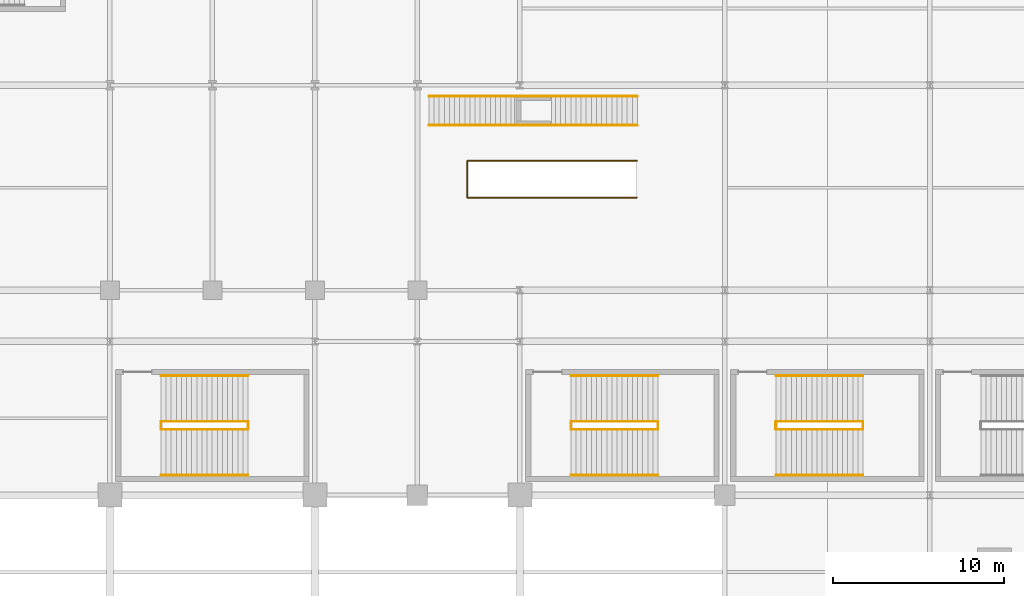
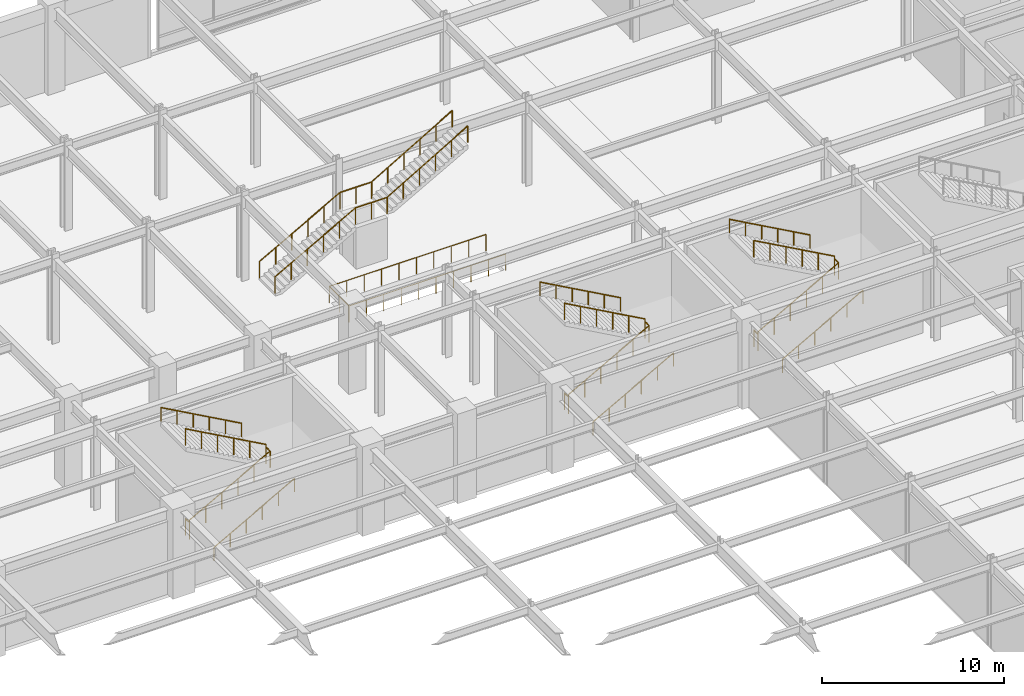
# One storey, part 102 of 105: 21 railings.
"""IFC4 building model written with IfcOpenShell, lengths in metres."""

from ifc_helpers import new_model, si_unit, direction, frame, origin, origin_2d, place, context, subcontext, project, spatial, circle, extrude, material, type_object, element, save


model = new_model("IFC4")

# Units and contexts
model_context = context("Model", 3, precision=1e-05, world=origin(), true_north=direction((0.0, 1.0)))
body_context = subcontext(model_context, "Body", "Model", "MODEL_VIEW")
ifc_project = project(units=[si_unit("LENGTHUNIT", "METRE"), si_unit("AREAUNIT", "SQUARE_METRE"), si_unit("VOLUMEUNIT", "CUBIC_METRE"), si_unit("PLANEANGLEUNIT", "RADIAN"), si_unit("MASSUNIT", "GRAM", prefix="KILO")], contexts=[model_context])

# Site, building, storey
site_placement = place(None, origin())
site = spatial("IfcSite", under=ifc_project, at=site_placement, CompositionType="ELEMENT")
building_placement = place(site_placement, origin())
building = spatial("IfcBuilding", under=site, at=building_placement, Name="Kaldorvane Square Convention Centre", CompositionType="ELEMENT")
storey_placement = place(building_placement, frame((0.0, 0.0, 6.0)))
storey = spatial("IfcBuildingStorey", under=building, at=storey_placement, Name="L01", CompositionType="ELEMENT", Elevation=6.0)

# Railings
ifc_material = material(Name="Architectural Painted Steel", Category="steel")
railing_type_1 = type_object("IfcRailingType", Name="RL-GUARD-1120", PredefinedType="BALUSTRADE", material=ifc_material)
for number, where, name in (
    (1, (80.99000549316406, 75.86000061035156, 0.0), "Convention Exit Stair C15 Floor Well Guard (L01)"),
    (2, (86.08999633789062, 75.86000061035156, 3.0), "Convention Exit Stair C15 Half-Landing Guard (L01)"),
):
    element("IfcRailing", number, at=place(storey_placement, frame(where)), inside=storey, type_object=railing_type_1, Name=name, PredefinedType="BALUSTRADE", context=body_context, shape_type="SweptSolid", body=[
        extrude(circle(Radius=0.0240020751953125, at=origin_2d()), frame((0.0, 0.0, 1.0959930419921875), z_axis=(0.0, 1.0, 0.0), x_axis=(-1.0, 0.0, 0.0)), (0.0, 0.0, 1.0), 0.44000244140625),
        extrude(circle(Radius=0.02099609375, at=origin_2d()), origin(), (0.0, 0.0, 1.0), 1.071990966796875),
        extrude(circle(Radius=0.02099609375, at=origin_2d()), frame((0.0, 0.44000244140625, 0.0)), (0.0, 0.0, 1.0), 1.071990966796875),
    ])
railing_1_placement = place(storey_placement, frame((80.99000549316406, 75.85000610351562, 0.1666717529296875)))
element("IfcRailing", 3, at=railing_1_placement, inside=storey, type_object=railing_type_1, Name="Convention Exit Stair C15 Flight 1 Guard (L01)", PredefinedType="BALUSTRADE", context=body_context, shape_type="SweptSolid", body=[
    extrude(circle(Radius=0.0240020751953125, at=origin_2d()), frame((0.0, 0.0, 1.0959930419921875), z_axis=(0.874157276122, 0.0, 0.485642931179), x_axis=(0.0, 1.0, 0.0)), (0.0, 0.0, 1.0), 5.8341827392578125),
    extrude(circle(Radius=0.02099609375, at=origin_2d()), origin(), (0.0, 0.0, 1.0), 1.071990966796875),
    extrude(circle(Radius=0.02099609375, at=origin_2d()), frame((1.0200042724609375, 0.0, 0.5666656494140625)), (0.0, 0.0, 1.0), 1.071990966796875),
    extrude(circle(Radius=0.02099609375, at=origin_2d()), frame((2.0399932861328125, 0.0, 1.133331298828125)), (0.0, 0.0, 1.0), 1.071990966796875),
    extrude(circle(Radius=0.02099609375, at=origin_2d()), frame((3.05999755859375, 0.0, 1.6999969482421875)), (0.0, 0.0, 1.0), 1.071990966796875),
    extrude(circle(Radius=0.02099609375, at=origin_2d()), frame((4.079986572265625, 0.0, 2.26666259765625)), (0.0, 0.0, 1.0), 1.071990966796875),
    extrude(circle(Radius=0.02099609375, at=origin_2d()), frame((5.0999908447265625, 0.0, 2.8333282470703125)), (0.0, 0.0, 1.0), 1.071990966796875),
])
railing_2_placement = place(storey_placement, frame((86.08999633789062, 76.30999755859375, 3.1666717529296875)))
element("IfcRailing", 4, at=railing_2_placement, inside=storey, type_object=railing_type_1, Name="Convention Exit Stair C15 Flight 2 Guard (L01)", PredefinedType="BALUSTRADE", context=body_context, shape_type="SweptSolid", body=[
    extrude(circle(Radius=0.0240020751953125, at=origin_2d()), frame((0.0, 0.0, 1.0959930419921875), z_axis=(-0.874157276122, 0.0, 0.485642931179), x_axis=(0.0, -1.0, 0.0)), (0.0, 0.0, 1.0), 5.8341827392578125),
    extrude(circle(Radius=0.02099609375, at=origin_2d()), origin(), (0.0, 0.0, 1.0), 1.071990966796875),
    extrude(circle(Radius=0.02099609375, at=origin_2d()), frame((-1.0200042724609375, 0.0, 0.5666656494140625)), (0.0, 0.0, 1.0), 1.071990966796875),
    extrude(circle(Radius=0.02099609375, at=origin_2d()), frame((-2.0399932861328125, 0.0, 1.133331298828125)), (0.0, 0.0, 1.0), 1.071990966796875),
    extrude(circle(Radius=0.02099609375, at=origin_2d()), frame((-3.05999755859375, 0.0, 1.6999969482421875)), (0.0, 0.0, 1.0), 1.071990966796875),
    extrude(circle(Radius=0.02099609375, at=origin_2d()), frame((-4.079986572265625, 0.0, 2.26666259765625)), (0.0, 0.0, 1.0), 1.071990966796875),
    extrude(circle(Radius=0.02099609375, at=origin_2d()), frame((-5.0999908447265625, 0.0, 2.8333282470703125)), (0.0, 0.0, 1.0), 1.071990966796875),
])
for number, where, name in (
    (5, (104.99000549316406, 75.86000061035156, 0.0), "Convention Exit Stair C16 Floor Well Guard (L01)"),
    (6, (110.08999633789062, 75.86000061035156, 3.0), "Convention Exit Stair C16 Half-Landing Guard (L01)"),
):
    element("IfcRailing", number, at=place(storey_placement, frame(where)), inside=storey, type_object=railing_type_1, Name=name, PredefinedType="BALUSTRADE", context=body_context, shape_type="SweptSolid", body=[
        extrude(circle(Radius=0.0240020751953125, at=origin_2d()), frame((0.0, 0.0, 1.0959930419921875), z_axis=(0.0, 1.0, 0.0), x_axis=(-1.0, 0.0, 0.0)), (0.0, 0.0, 1.0), 0.44000244140625),
        extrude(circle(Radius=0.02099609375, at=origin_2d()), origin(), (0.0, 0.0, 1.0), 1.071990966796875),
        extrude(circle(Radius=0.02099609375, at=origin_2d()), frame((0.0, 0.44000244140625, 0.0)), (0.0, 0.0, 1.0), 1.071990966796875),
    ])
railing_3_placement = place(storey_placement, frame((104.99000549316406, 75.85000610351562, 0.1666717529296875)))
element("IfcRailing", 7, at=railing_3_placement, inside=storey, type_object=railing_type_1, Name="Convention Exit Stair C16 Flight 1 Guard (L01)", PredefinedType="BALUSTRADE", context=body_context, shape_type="SweptSolid", body=[
    extrude(circle(Radius=0.0240020751953125, at=origin_2d()), frame((0.0, 0.0, 1.0959930419921875), z_axis=(0.874157276122, 0.0, 0.485642931179), x_axis=(0.0, 1.0, 0.0)), (0.0, 0.0, 1.0), 5.8341827392578125),
    extrude(circle(Radius=0.02099609375, at=origin_2d()), origin(), (0.0, 0.0, 1.0), 1.071990966796875),
    extrude(circle(Radius=0.02099609375, at=origin_2d()), frame((1.0200042724609375, 0.0, 0.5666656494140625)), (0.0, 0.0, 1.0), 1.071990966796875),
    extrude(circle(Radius=0.02099609375, at=origin_2d()), frame((2.0399932861328125, 0.0, 1.133331298828125)), (0.0, 0.0, 1.0), 1.071990966796875),
    extrude(circle(Radius=0.02099609375, at=origin_2d()), frame((3.05999755859375, 0.0, 1.6999969482421875)), (0.0, 0.0, 1.0), 1.071990966796875),
    extrude(circle(Radius=0.02099609375, at=origin_2d()), frame((4.079986572265625, 0.0, 2.26666259765625)), (0.0, 0.0, 1.0), 1.071990966796875),
    extrude(circle(Radius=0.02099609375, at=origin_2d()), frame((5.0999908447265625, 0.0, 2.8333282470703125)), (0.0, 0.0, 1.0), 1.071990966796875),
])
railing_4_placement = place(storey_placement, frame((110.08999633789062, 76.30999755859375, 3.1666717529296875)))
element("IfcRailing", 8, at=railing_4_placement, inside=storey, type_object=railing_type_1, Name="Convention Exit Stair C16 Flight 2 Guard (L01)", PredefinedType="BALUSTRADE", context=body_context, shape_type="SweptSolid", body=[
    extrude(circle(Radius=0.0240020751953125, at=origin_2d()), frame((0.0, 0.0, 1.0959930419921875), z_axis=(-0.874157276122, 0.0, 0.485642931179), x_axis=(0.0, -1.0, 0.0)), (0.0, 0.0, 1.0), 5.8341827392578125),
    extrude(circle(Radius=0.02099609375, at=origin_2d()), origin(), (0.0, 0.0, 1.0), 1.071990966796875),
    extrude(circle(Radius=0.02099609375, at=origin_2d()), frame((-1.0200042724609375, 0.0, 0.5666656494140625)), (0.0, 0.0, 1.0), 1.071990966796875),
    extrude(circle(Radius=0.02099609375, at=origin_2d()), frame((-2.0399932861328125, 0.0, 1.133331298828125)), (0.0, 0.0, 1.0), 1.071990966796875),
    extrude(circle(Radius=0.02099609375, at=origin_2d()), frame((-3.05999755859375, 0.0, 1.6999969482421875)), (0.0, 0.0, 1.0), 1.071990966796875),
    extrude(circle(Radius=0.02099609375, at=origin_2d()), frame((-4.079986572265625, 0.0, 2.26666259765625)), (0.0, 0.0, 1.0), 1.071990966796875),
    extrude(circle(Radius=0.02099609375, at=origin_2d()), frame((-5.0999908447265625, 0.0, 2.8333282470703125)), (0.0, 0.0, 1.0), 1.071990966796875),
])
for number, where, name in (
    (9, (116.99000549316406, 75.86000061035156, 0.0), "Convention Exit Stair C17 Floor Well Guard (L01)"),
    (10, (122.08999633789062, 75.86000061035156, 3.0), "Convention Exit Stair C17 Half-Landing Guard (L01)"),
):
    element("IfcRailing", number, at=place(storey_placement, frame(where)), inside=storey, type_object=railing_type_1, Name=name, PredefinedType="BALUSTRADE", context=body_context, shape_type="SweptSolid", body=[
        extrude(circle(Radius=0.0240020751953125, at=origin_2d()), frame((0.0, 0.0, 1.0959930419921875), z_axis=(0.0, 1.0, 0.0), x_axis=(-1.0, 0.0, 0.0)), (0.0, 0.0, 1.0), 0.44000244140625),
        extrude(circle(Radius=0.02099609375, at=origin_2d()), origin(), (0.0, 0.0, 1.0), 1.071990966796875),
        extrude(circle(Radius=0.02099609375, at=origin_2d()), frame((0.0, 0.44000244140625, 0.0)), (0.0, 0.0, 1.0), 1.071990966796875),
    ])
railing_5_placement = place(storey_placement, frame((116.99000549316406, 75.85000610351562, 0.1666717529296875)))
element("IfcRailing", 11, at=railing_5_placement, inside=storey, type_object=railing_type_1, Name="Convention Exit Stair C17 Flight 1 Guard (L01)", PredefinedType="BALUSTRADE", context=body_context, shape_type="SweptSolid", body=[
    extrude(circle(Radius=0.0240020751953125, at=origin_2d()), frame((0.0, 0.0, 1.0959930419921875), z_axis=(0.874157276122, 0.0, 0.485642931179), x_axis=(0.0, 1.0, 0.0)), (0.0, 0.0, 1.0), 5.8341827392578125),
    extrude(circle(Radius=0.02099609375, at=origin_2d()), origin(), (0.0, 0.0, 1.0), 1.071990966796875),
    extrude(circle(Radius=0.02099609375, at=origin_2d()), frame((1.0200042724609375, 0.0, 0.5666656494140625)), (0.0, 0.0, 1.0), 1.071990966796875),
    extrude(circle(Radius=0.02099609375, at=origin_2d()), frame((2.0399932861328125, 0.0, 1.133331298828125)), (0.0, 0.0, 1.0), 1.071990966796875),
    extrude(circle(Radius=0.02099609375, at=origin_2d()), frame((3.05999755859375, 0.0, 1.6999969482421875)), (0.0, 0.0, 1.0), 1.071990966796875),
    extrude(circle(Radius=0.02099609375, at=origin_2d()), frame((4.079986572265625, 0.0, 2.26666259765625)), (0.0, 0.0, 1.0), 1.071990966796875),
    extrude(circle(Radius=0.02099609375, at=origin_2d()), frame((5.0999908447265625, 0.0, 2.8333282470703125)), (0.0, 0.0, 1.0), 1.071990966796875),
])
railing_6_placement = place(storey_placement, frame((122.08999633789062, 76.30999755859375, 3.1666717529296875)))
element("IfcRailing", 12, at=railing_6_placement, inside=storey, type_object=railing_type_1, Name="Convention Exit Stair C17 Flight 2 Guard (L01)", PredefinedType="BALUSTRADE", context=body_context, shape_type="SweptSolid", body=[
    extrude(circle(Radius=0.0240020751953125, at=origin_2d()), frame((0.0, 0.0, 1.0959930419921875), z_axis=(-0.874157276122, 0.0, 0.485642931179), x_axis=(0.0, -1.0, 0.0)), (0.0, 0.0, 1.0), 5.8341827392578125),
    extrude(circle(Radius=0.02099609375, at=origin_2d()), origin(), (0.0, 0.0, 1.0), 1.071990966796875),
    extrude(circle(Radius=0.02099609375, at=origin_2d()), frame((-1.0200042724609375, 0.0, 0.5666656494140625)), (0.0, 0.0, 1.0), 1.071990966796875),
    extrude(circle(Radius=0.02099609375, at=origin_2d()), frame((-2.0399932861328125, 0.0, 1.133331298828125)), (0.0, 0.0, 1.0), 1.071990966796875),
    extrude(circle(Radius=0.02099609375, at=origin_2d()), frame((-3.05999755859375, 0.0, 1.6999969482421875)), (0.0, 0.0, 1.0), 1.071990966796875),
    extrude(circle(Radius=0.02099609375, at=origin_2d()), frame((-4.079986572265625, 0.0, 2.26666259765625)), (0.0, 0.0, 1.0), 1.071990966796875),
    extrude(circle(Radius=0.02099609375, at=origin_2d()), frame((-5.0999908447265625, 0.0, 2.8333282470703125)), (0.0, 0.0, 1.0), 1.071990966796875),
])
railing_7_placement = place(storey_placement, frame((108.85000610351562, 89.41999816894531, 0.0)))
element("IfcRailing", 13, at=railing_7_placement, inside=storey, type_object=railing_type_1, Name="Hotel Atrium Grand Stair F5 Upper Well Guard (L01)", PredefinedType="BALUSTRADE", context=body_context, shape_type="SweptSolid", body=[
    extrude(circle(Radius=0.0240020751953125, at=origin_2d()), frame((0.0, 0.0, 1.0959930419921875), z_axis=(-1.0, 0.0, 0.0), x_axis=(0.0, -1.0, 0.0)), (0.0, 0.0, 1.0), 9.930007934570312),
    extrude(circle(Radius=0.0240020751953125, at=origin_2d()), frame((-9.930007934570312, 0.0, 1.0959930419921875), z_axis=(0.0, 1.0, 0.0), x_axis=(-1.0, 0.0, 0.0)), (0.0, 0.0, 1.0), 2.160003662109375),
    extrude(circle(Radius=0.0240020751953125, at=origin_2d()), frame((-9.930007934570312, 2.160003662109375, 1.0959930419921875), z_axis=(1.0, 0.0, 0.0), x_axis=(0.0, 1.0, 0.0)), (0.0, 0.0, 1.0), 9.930007934570312),
    extrude(circle(Radius=0.02099609375, at=origin_2d()), origin(), (0.0, 0.0, 1.0), 1.071990966796875),
    extrude(circle(Radius=0.02099609375, at=origin_2d()), frame((-1.10333251953125, 0.0, 0.0)), (0.0, 0.0, 1.0), 1.071990966796875),
    extrude(circle(Radius=0.02099609375, at=origin_2d()), frame((-2.2066650390625, 0.0, 0.0)), (0.0, 0.0, 1.0), 1.071990966796875),
    extrude(circle(Radius=0.02099609375, at=origin_2d()), frame((-3.30999755859375, 0.0, 0.0)), (0.0, 0.0, 1.0), 1.071990966796875),
    extrude(circle(Radius=0.02099609375, at=origin_2d()), frame((-4.413330078125, 0.0, 0.0)), (0.0, 0.0, 1.0), 1.071990966796875),
    extrude(circle(Radius=0.02099609375, at=origin_2d()), frame((-5.5166778564453125, 0.0, 0.0)), (0.0, 0.0, 1.0), 1.071990966796875),
    extrude(circle(Radius=0.02099609375, at=origin_2d()), frame((-6.6200103759765625, 0.0, 0.0)), (0.0, 0.0, 1.0), 1.071990966796875),
    extrude(circle(Radius=0.02099609375, at=origin_2d()), frame((-7.7233428955078125, 0.0, 0.0)), (0.0, 0.0, 1.0), 1.071990966796875),
    extrude(circle(Radius=0.02099609375, at=origin_2d()), frame((-8.826675415039062, 0.0, 0.0)), (0.0, 0.0, 1.0), 1.071990966796875),
    extrude(circle(Radius=0.02099609375, at=origin_2d()), frame((-9.930007934570312, 0.0, 0.0)), (0.0, 0.0, 1.0), 1.071990966796875),
    extrude(circle(Radius=0.02099609375, at=origin_2d()), frame((-9.930007934570312, 1.0800018310546875, 0.0)), (0.0, 0.0, 1.0), 1.071990966796875),
    extrude(circle(Radius=0.02099609375, at=origin_2d()), frame((-9.930007934570312, 2.160003662109375, 0.0)), (0.0, 0.0, 1.0), 1.071990966796875),
    extrude(circle(Radius=0.02099609375, at=origin_2d()), frame((-8.826675415039062, 2.160003662109375, 0.0)), (0.0, 0.0, 1.0), 1.071990966796875),
    extrude(circle(Radius=0.02099609375, at=origin_2d()), frame((-7.7233428955078125, 2.160003662109375, 0.0)), (0.0, 0.0, 1.0), 1.071990966796875),
    extrude(circle(Radius=0.02099609375, at=origin_2d()), frame((-6.6200103759765625, 2.160003662109375, 0.0)), (0.0, 0.0, 1.0), 1.071990966796875),
    extrude(circle(Radius=0.02099609375, at=origin_2d()), frame((-5.5166778564453125, 2.160003662109375, 0.0)), (0.0, 0.0, 1.0), 1.071990966796875),
    extrude(circle(Radius=0.02099609375, at=origin_2d()), frame((-4.413330078125, 2.160003662109375, 0.0)), (0.0, 0.0, 1.0), 1.071990966796875),
    extrude(circle(Radius=0.02099609375, at=origin_2d()), frame((-3.30999755859375, 2.160003662109375, 0.0)), (0.0, 0.0, 1.0), 1.071990966796875),
    extrude(circle(Radius=0.02099609375, at=origin_2d()), frame((-2.2066650390625, 2.160003662109375, 0.0)), (0.0, 0.0, 1.0), 1.071990966796875),
    extrude(circle(Radius=0.02099609375, at=origin_2d()), frame((-1.10333251953125, 2.160003662109375, 0.0)), (0.0, 0.0, 1.0), 1.071990966796875),
    extrude(circle(Radius=0.02099609375, at=origin_2d()), frame((0.0, 2.160003662109375, 0.0)), (0.0, 0.0, 1.0), 1.071990966796875),
])
railing_8_placement = place(storey_placement, frame((96.67999267578125, 93.64999389648438, 0.1666717529296875)))
element("IfcRailing", 14, at=railing_8_placement, inside=storey, type_object=railing_type_1, Name="Hotel Atrium Grand Stair F6 Balustrade S (L01)", PredefinedType="BALUSTRADE", context=body_context, shape_type="SweptSolid", body=[
    extrude(circle(Radius=0.0240020751953125, at=origin_2d()), frame((0.0, 0.0, 1.0959930419921875), z_axis=(0.874157892962, 0.0, 0.485641820864), x_axis=(0.0, 1.0, 0.0)), (0.0, 0.0, 1.0), 5.834197998046875),
    extrude(circle(Radius=0.0240020751953125, at=origin_2d()), frame((5.100006103515625, 0.0, 3.9293212890625), z_axis=(1.0, 0.0, 0.0), x_axis=(0.0, 1.0, 0.0)), (0.0, 0.0, 1.0), 2.0),
    extrude(circle(Radius=0.0240020751953125, at=origin_2d()), frame((7.100006103515625, 0.0, 3.9293212890625), z_axis=(0.861934480334, 0.0, 0.507019675764), x_axis=(0.0, 1.0, 0.0)), (0.0, 0.0, 1.0), 5.91693115234375),
    extrude(circle(Radius=0.02099609375, at=origin_2d()), origin(), (0.0, 0.0, 1.0), 1.071990966796875),
    extrude(circle(Radius=0.02099609375, at=origin_2d()), frame((1.0200042724609375, 0.0, 0.5666656494140625)), (0.0, 0.0, 1.0), 1.071990966796875),
    extrude(circle(Radius=0.02099609375, at=origin_2d()), frame((2.040008544921875, 0.0, 1.133331298828125)), (0.0, 0.0, 1.0), 1.071990966796875),
    extrude(circle(Radius=0.02099609375, at=origin_2d()), frame((3.05999755859375, 0.0, 1.6999969482421875)), (0.0, 0.0, 1.0), 1.071990966796875),
    extrude(circle(Radius=0.02099609375, at=origin_2d()), frame((4.0800018310546875, 0.0, 2.26666259765625)), (0.0, 0.0, 1.0), 1.071990966796875),
    extrude(circle(Radius=0.02099609375, at=origin_2d()), frame((5.100006103515625, 0.0, 2.8333282470703125)), (0.0, 0.0, 1.0), 1.071990966796875),
    extrude(circle(Radius=0.02099609375, at=origin_2d()), frame((6.100006103515625, 0.0, 2.8333282470703125)), (0.0, 0.0, 1.0), 1.071990966796875),
    extrude(circle(Radius=0.02099609375, at=origin_2d()), frame((7.100006103515625, 0.0, 2.8333282470703125)), (0.0, 0.0, 1.0), 1.071990966796875),
    extrude(circle(Radius=0.02099609375, at=origin_2d()), frame((8.120010375976562, 0.0, 3.4333343505859375)), (0.0, 0.0, 1.0), 1.071990966796875),
    extrude(circle(Radius=0.02099609375, at=origin_2d()), frame((9.1400146484375, 0.0, 4.0333251953125)), (0.0, 0.0, 1.0), 1.071990966796875),
    extrude(circle(Radius=0.02099609375, at=origin_2d()), frame((10.160003662109375, 0.0, 4.633331298828125)), (0.0, 0.0, 1.0), 1.071990966796875),
    extrude(circle(Radius=0.02099609375, at=origin_2d()), frame((11.180007934570312, 0.0, 5.2333221435546875)), (0.0, 0.0, 1.0), 1.071990966796875),
    extrude(circle(Radius=0.02099609375, at=origin_2d()), frame((12.20001220703125, 0.0, 5.8333282470703125)), (0.0, 0.0, 1.0), 1.071990966796875),
])
railing_9_placement = place(storey_placement, frame((96.67999267578125, 95.35000610351562, 0.1666717529296875)))
element("IfcRailing", 15, at=railing_9_placement, inside=storey, type_object=railing_type_1, Name="Hotel Atrium Grand Stair F6 Balustrade N (L01)", PredefinedType="BALUSTRADE", context=body_context, shape_type="SweptSolid", body=[
    extrude(circle(Radius=0.0240020751953125, at=origin_2d()), frame((0.0, 0.0, 1.0959930419921875), z_axis=(0.874157892962, 0.0, 0.485641820864), x_axis=(0.0, 1.0, 0.0)), (0.0, 0.0, 1.0), 5.834197998046875),
    extrude(circle(Radius=0.0240020751953125, at=origin_2d()), frame((5.100006103515625, 0.0, 3.9293212890625), z_axis=(1.0, 0.0, 0.0), x_axis=(0.0, 1.0, 0.0)), (0.0, 0.0, 1.0), 2.0),
    extrude(circle(Radius=0.0240020751953125, at=origin_2d()), frame((7.100006103515625, 0.0, 3.9293212890625), z_axis=(0.861934480334, 0.0, 0.507019675764), x_axis=(0.0, 1.0, 0.0)), (0.0, 0.0, 1.0), 5.91693115234375),
    extrude(circle(Radius=0.02099609375, at=origin_2d()), origin(), (0.0, 0.0, 1.0), 1.071990966796875),
    extrude(circle(Radius=0.02099609375, at=origin_2d()), frame((1.0200042724609375, 0.0, 0.5666656494140625)), (0.0, 0.0, 1.0), 1.071990966796875),
    extrude(circle(Radius=0.02099609375, at=origin_2d()), frame((2.040008544921875, 0.0, 1.133331298828125)), (0.0, 0.0, 1.0), 1.071990966796875),
    extrude(circle(Radius=0.02099609375, at=origin_2d()), frame((3.05999755859375, 0.0, 1.6999969482421875)), (0.0, 0.0, 1.0), 1.071990966796875),
    extrude(circle(Radius=0.02099609375, at=origin_2d()), frame((4.0800018310546875, 0.0, 2.26666259765625)), (0.0, 0.0, 1.0), 1.071990966796875),
    extrude(circle(Radius=0.02099609375, at=origin_2d()), frame((5.100006103515625, 0.0, 2.8333282470703125)), (0.0, 0.0, 1.0), 1.071990966796875),
    extrude(circle(Radius=0.02099609375, at=origin_2d()), frame((6.100006103515625, 0.0, 2.8333282470703125)), (0.0, 0.0, 1.0), 1.071990966796875),
    extrude(circle(Radius=0.02099609375, at=origin_2d()), frame((7.100006103515625, 0.0, 2.8333282470703125)), (0.0, 0.0, 1.0), 1.071990966796875),
    extrude(circle(Radius=0.02099609375, at=origin_2d()), frame((8.120010375976562, 0.0, 3.4333343505859375)), (0.0, 0.0, 1.0), 1.071990966796875),
    extrude(circle(Radius=0.02099609375, at=origin_2d()), frame((9.1400146484375, 0.0, 4.0333251953125)), (0.0, 0.0, 1.0), 1.071990966796875),
    extrude(circle(Radius=0.02099609375, at=origin_2d()), frame((10.160003662109375, 0.0, 4.633331298828125)), (0.0, 0.0, 1.0), 1.071990966796875),
    extrude(circle(Radius=0.02099609375, at=origin_2d()), frame((11.180007934570312, 0.0, 5.2333221435546875)), (0.0, 0.0, 1.0), 1.071990966796875),
    extrude(circle(Radius=0.02099609375, at=origin_2d()), frame((12.20001220703125, 0.0, 5.8333282470703125)), (0.0, 0.0, 1.0), 1.071990966796875),
])
railing_type_2 = type_object("IfcRailingType", Name="RL-HAND-915", PredefinedType="HANDRAIL", material=ifc_material)
railing_10_placement = place(storey_placement, frame((80.99000549316406, 73.16999816894531, 0.1666717529296875)))
element("IfcRailing", 16, at=railing_10_placement, inside=storey, type_object=railing_type_2, Name="Convention Exit Stair C15 Wall Handrail 1 (L01)", PredefinedType="HANDRAIL", context=body_context, shape_type="SweptSolid", body=[
    extrude(circle(Radius=0.0240020751953125, at=origin_2d()), frame((0.0, 0.0, 0.8909912109375), z_axis=(0.874157276122, 0.0, 0.485642931179), x_axis=(0.0, 1.0, 0.0)), (0.0, 0.0, 1.0), 5.8341827392578125),
    extrude(circle(Radius=0.02099609375, at=origin_2d()), origin(), (0.0, 0.0, 1.0), 0.8669891357421875),
    extrude(circle(Radius=0.02099609375, at=origin_2d()), frame((1.0200042724609375, 0.0, 0.5666656494140625)), (0.0, 0.0, 1.0), 0.8669891357421875),
    extrude(circle(Radius=0.02099609375, at=origin_2d()), frame((2.0399932861328125, 0.0, 1.133331298828125)), (0.0, 0.0, 1.0), 0.8669891357421875),
    extrude(circle(Radius=0.02099609375, at=origin_2d()), frame((3.05999755859375, 0.0, 1.6999969482421875)), (0.0, 0.0, 1.0), 0.8669891357421875),
    extrude(circle(Radius=0.02099609375, at=origin_2d()), frame((4.079986572265625, 0.0, 2.26666259765625)), (0.0, 0.0, 1.0), 0.8669891357421875),
    extrude(circle(Radius=0.02099609375, at=origin_2d()), frame((5.0999908447265625, 0.0, 2.8333282470703125)), (0.0, 0.0, 1.0), 0.8669891357421875),
])
railing_11_placement = place(storey_placement, frame((86.08999633789062, 78.99000549316406, 3.1666717529296875)))
element("IfcRailing", 17, at=railing_11_placement, inside=storey, type_object=railing_type_2, Name="Convention Exit Stair C15 Wall Handrail 2 (L01)", PredefinedType="HANDRAIL", context=body_context, shape_type="SweptSolid", body=[
    extrude(circle(Radius=0.0240020751953125, at=origin_2d()), frame((0.0, 0.0, 0.8909912109375), z_axis=(-0.874157276122, 0.0, 0.485642931179), x_axis=(0.0, -1.0, 0.0)), (0.0, 0.0, 1.0), 5.8341827392578125),
    extrude(circle(Radius=0.02099609375, at=origin_2d()), origin(), (0.0, 0.0, 1.0), 0.8669891357421875),
    extrude(circle(Radius=0.02099609375, at=origin_2d()), frame((-1.0200042724609375, 0.0, 0.5666656494140625)), (0.0, 0.0, 1.0), 0.8669891357421875),
    extrude(circle(Radius=0.02099609375, at=origin_2d()), frame((-2.0399932861328125, 0.0, 1.133331298828125)), (0.0, 0.0, 1.0), 0.8669891357421875),
    extrude(circle(Radius=0.02099609375, at=origin_2d()), frame((-3.05999755859375, 0.0, 1.6999969482421875)), (0.0, 0.0, 1.0), 0.8669891357421875),
    extrude(circle(Radius=0.02099609375, at=origin_2d()), frame((-4.079986572265625, 0.0, 2.26666259765625)), (0.0, 0.0, 1.0), 0.8669891357421875),
    extrude(circle(Radius=0.02099609375, at=origin_2d()), frame((-5.0999908447265625, 0.0, 2.8333282470703125)), (0.0, 0.0, 1.0), 0.8669891357421875),
])
railing_12_placement = place(storey_placement, frame((104.99000549316406, 73.16999816894531, 0.1666717529296875)))
element("IfcRailing", 18, at=railing_12_placement, inside=storey, type_object=railing_type_2, Name="Convention Exit Stair C16 Wall Handrail 1 (L01)", PredefinedType="HANDRAIL", context=body_context, shape_type="SweptSolid", body=[
    extrude(circle(Radius=0.0240020751953125, at=origin_2d()), frame((0.0, 0.0, 0.8909912109375), z_axis=(0.874157276122, 0.0, 0.485642931179), x_axis=(0.0, 1.0, 0.0)), (0.0, 0.0, 1.0), 5.8341827392578125),
    extrude(circle(Radius=0.02099609375, at=origin_2d()), origin(), (0.0, 0.0, 1.0), 0.8669891357421875),
    extrude(circle(Radius=0.02099609375, at=origin_2d()), frame((1.0200042724609375, 0.0, 0.5666656494140625)), (0.0, 0.0, 1.0), 0.8669891357421875),
    extrude(circle(Radius=0.02099609375, at=origin_2d()), frame((2.0399932861328125, 0.0, 1.133331298828125)), (0.0, 0.0, 1.0), 0.8669891357421875),
    extrude(circle(Radius=0.02099609375, at=origin_2d()), frame((3.05999755859375, 0.0, 1.6999969482421875)), (0.0, 0.0, 1.0), 0.8669891357421875),
    extrude(circle(Radius=0.02099609375, at=origin_2d()), frame((4.079986572265625, 0.0, 2.26666259765625)), (0.0, 0.0, 1.0), 0.8669891357421875),
    extrude(circle(Radius=0.02099609375, at=origin_2d()), frame((5.0999908447265625, 0.0, 2.8333282470703125)), (0.0, 0.0, 1.0), 0.8669891357421875),
])
railing_13_placement = place(storey_placement, frame((110.08999633789062, 78.99000549316406, 3.1666717529296875)))
element("IfcRailing", 19, at=railing_13_placement, inside=storey, type_object=railing_type_2, Name="Convention Exit Stair C16 Wall Handrail 2 (L01)", PredefinedType="HANDRAIL", context=body_context, shape_type="SweptSolid", body=[
    extrude(circle(Radius=0.0240020751953125, at=origin_2d()), frame((0.0, 0.0, 0.8909912109375), z_axis=(-0.874157276122, 0.0, 0.485642931179), x_axis=(0.0, -1.0, 0.0)), (0.0, 0.0, 1.0), 5.8341827392578125),
    extrude(circle(Radius=0.02099609375, at=origin_2d()), origin(), (0.0, 0.0, 1.0), 0.8669891357421875),
    extrude(circle(Radius=0.02099609375, at=origin_2d()), frame((-1.0200042724609375, 0.0, 0.5666656494140625)), (0.0, 0.0, 1.0), 0.8669891357421875),
    extrude(circle(Radius=0.02099609375, at=origin_2d()), frame((-2.0399932861328125, 0.0, 1.133331298828125)), (0.0, 0.0, 1.0), 0.8669891357421875),
    extrude(circle(Radius=0.02099609375, at=origin_2d()), frame((-3.05999755859375, 0.0, 1.6999969482421875)), (0.0, 0.0, 1.0), 0.8669891357421875),
    extrude(circle(Radius=0.02099609375, at=origin_2d()), frame((-4.079986572265625, 0.0, 2.26666259765625)), (0.0, 0.0, 1.0), 0.8669891357421875),
    extrude(circle(Radius=0.02099609375, at=origin_2d()), frame((-5.0999908447265625, 0.0, 2.8333282470703125)), (0.0, 0.0, 1.0), 0.8669891357421875),
])
railing_14_placement = place(storey_placement, frame((116.99000549316406, 73.16999816894531, 0.1666717529296875)))
element("IfcRailing", 20, at=railing_14_placement, inside=storey, type_object=railing_type_2, Name="Convention Exit Stair C17 Wall Handrail 1 (L01)", PredefinedType="HANDRAIL", context=body_context, shape_type="SweptSolid", body=[
    extrude(circle(Radius=0.0240020751953125, at=origin_2d()), frame((0.0, 0.0, 0.8909912109375), z_axis=(0.874157276122, 0.0, 0.485642931179), x_axis=(0.0, 1.0, 0.0)), (0.0, 0.0, 1.0), 5.8341827392578125),
    extrude(circle(Radius=0.02099609375, at=origin_2d()), origin(), (0.0, 0.0, 1.0), 0.8669891357421875),
    extrude(circle(Radius=0.02099609375, at=origin_2d()), frame((1.0200042724609375, 0.0, 0.5666656494140625)), (0.0, 0.0, 1.0), 0.8669891357421875),
    extrude(circle(Radius=0.02099609375, at=origin_2d()), frame((2.0399932861328125, 0.0, 1.133331298828125)), (0.0, 0.0, 1.0), 0.8669891357421875),
    extrude(circle(Radius=0.02099609375, at=origin_2d()), frame((3.05999755859375, 0.0, 1.6999969482421875)), (0.0, 0.0, 1.0), 0.8669891357421875),
    extrude(circle(Radius=0.02099609375, at=origin_2d()), frame((4.079986572265625, 0.0, 2.26666259765625)), (0.0, 0.0, 1.0), 0.8669891357421875),
    extrude(circle(Radius=0.02099609375, at=origin_2d()), frame((5.0999908447265625, 0.0, 2.8333282470703125)), (0.0, 0.0, 1.0), 0.8669891357421875),
])
railing_15_placement = place(storey_placement, frame((122.08999633789062, 78.99000549316406, 3.1666717529296875)))
element("IfcRailing", 21, at=railing_15_placement, inside=storey, type_object=railing_type_2, Name="Convention Exit Stair C17 Wall Handrail 2 (L01)", PredefinedType="HANDRAIL", context=body_context, shape_type="SweptSolid", body=[
    extrude(circle(Radius=0.0240020751953125, at=origin_2d()), frame((0.0, 0.0, 0.8909912109375), z_axis=(-0.874157276122, 0.0, 0.485642931179), x_axis=(0.0, -1.0, 0.0)), (0.0, 0.0, 1.0), 5.8341827392578125),
    extrude(circle(Radius=0.02099609375, at=origin_2d()), origin(), (0.0, 0.0, 1.0), 0.8669891357421875),
    extrude(circle(Radius=0.02099609375, at=origin_2d()), frame((-1.0200042724609375, 0.0, 0.5666656494140625)), (0.0, 0.0, 1.0), 0.8669891357421875),
    extrude(circle(Radius=0.02099609375, at=origin_2d()), frame((-2.0399932861328125, 0.0, 1.133331298828125)), (0.0, 0.0, 1.0), 0.8669891357421875),
    extrude(circle(Radius=0.02099609375, at=origin_2d()), frame((-3.05999755859375, 0.0, 1.6999969482421875)), (0.0, 0.0, 1.0), 0.8669891357421875),
    extrude(circle(Radius=0.02099609375, at=origin_2d()), frame((-4.079986572265625, 0.0, 2.26666259765625)), (0.0, 0.0, 1.0), 0.8669891357421875),
    extrude(circle(Radius=0.02099609375, at=origin_2d()), frame((-5.0999908447265625, 0.0, 2.8333282470703125)), (0.0, 0.0, 1.0), 0.8669891357421875),
])

save(model, "model.ifc")
